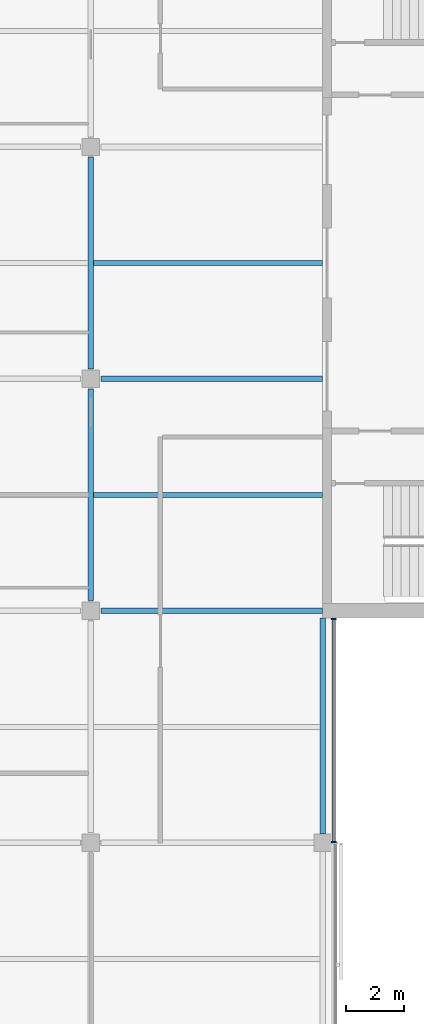
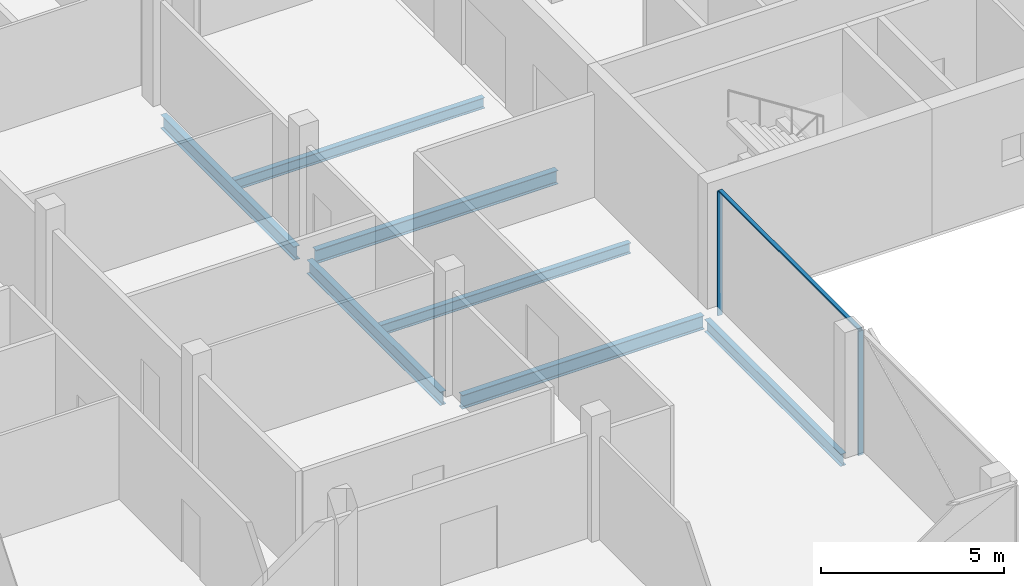
# One storey, part 4 of 16: 7 beams, 3 members, 1 element without a shape of its own.
"""IFC4 building model written with IfcOpenShell, lengths in metres."""

from ifc_helpers import new_model, si_unit, direction, frame, origin, origin_2d, place, context, subcontext, project, spatial, rectangle, i_section, extrude, material, material_profile, profile_set, type_object, element, aggregate, save


model = new_model("IFC4")

# Units and contexts
model_context = context("Model", 3, precision=1e-05, world=origin(), true_north=direction((0.0, 1.0)))
body_context = subcontext(model_context, "Body", "Model", "MODEL_VIEW")
ifc_project = project(units=[si_unit("LENGTHUNIT", "METRE"), si_unit("AREAUNIT", "SQUARE_METRE"), si_unit("VOLUMEUNIT", "CUBIC_METRE"), si_unit("PLANEANGLEUNIT", "RADIAN"), si_unit("MASSUNIT", "GRAM", prefix="KILO")], contexts=[model_context])

# Site, building, storey
site_placement = place(None, origin())
site = spatial("IfcSite", under=ifc_project, at=site_placement, CompositionType="ELEMENT")
building_placement = place(site_placement, origin())
building = spatial("IfcBuilding", under=site, at=building_placement, Name="Crosswind Convention Tower", CompositionType="ELEMENT")
storey_placement = place(building_placement, frame((0.0, 0.0, 295.5)))
storey = spatial("IfcBuildingStorey", under=building, at=storey_placement, Name="L64", CompositionType="ELEMENT", Elevation=295.5)

# Beams
ifc_material_1 = material(Name="Steel S355", Category="steel")
ifc_material_profile_1 = material_profile(ifc_material_1, i_section(OverallWidth=0.177734375, OverallDepth=0.406494140625, WebThickness=0.0078125, FlangeThickness=0.0126953125, FilletRadius=0.01025390625, at=origin_2d()), Name="UB 406x178x60")
ifc_profile_set_1 = profile_set([ifc_material_profile_1], Name="Steel S355")
beam_type_1 = type_object("IfcBeamType", Name="Edge beam UB 406x178x60", PredefinedType="SPANDREL", material=ifc_profile_set_1)
beam_placement = place(storey_placement, frame((137.0, 80.300048828125, -0.503173828125), z_axis=(0.0, 1.0, 0.0), x_axis=(-1.0, 0.0, 0.0)))
element("IfcBeam", 1, at=beam_placement, inside=storey, type_object=beam_type_1, Name="B15 L64 edge beam 12", PredefinedType="SPANDREL", context=body_context, shape_type="SweptSolid", body=[
    extrude(i_section(OverallWidth=0.177734375, OverallDepth=0.406494140625, WebThickness=0.0078125, FlangeThickness=0.0126953125, FilletRadius=0.01025390625, at=origin_2d()), origin(), (0.0, 0.0, 1.0), 7.449951171875),
])
ifc_material_profile_2 = material_profile(ifc_material_1, i_section(OverallWidth=0.18994140625, OverallDepth=0.45361328125, WebThickness=0.008544921875, FlangeThickness=0.0126953125, FilletRadius=0.01025390625, at=origin_2d()), Name="UB 457x191x67")
ifc_profile_set_2 = profile_set([ifc_material_profile_2], Name="Steel S355")
beam_type_2 = type_object("IfcBeamType", Name="Girder UB 457x191x67", PredefinedType="BEAM", material=ifc_profile_set_2)
for number, where, z_axis, x_axis, name in (
    (2, (129.0, 88.35009765625, -0.52685546875), (0.0, 1.0, 0.0), (-1.0, 0.0, 0.0), "B1 L64 girder 18"),
    (3, (129.0, 96.35009765625, -0.52685546875), (0.0, 1.0, 0.0), (-1.0, 0.0, 0.0), "B1 L64 girder 19"),
):
    element("IfcBeam", number, at=place(storey_placement, frame(where, z_axis=z_axis, x_axis=x_axis)), inside=storey, type_object=beam_type_2, Name=name, PredefinedType="BEAM", context=body_context, shape_type="SweptSolid", body=[
        extrude(i_section(OverallWidth=0.18994140625, OverallDepth=0.45361328125, WebThickness=0.008544921875, FlangeThickness=0.0126953125, FilletRadius=0.01025390625, at=origin_2d()), origin(), (0.0, 0.0, 1.0), 7.2998046875),
    ])
ifc_material_profile_3 = material_profile(ifc_material_1, i_section(OverallWidth=0.1904296875, OverallDepth=0.457275390625, WebThickness=0.009033203125, FlangeThickness=0.014404296875, FilletRadius=0.01025390625, at=origin_2d()), Name="UB 457x191x75")
ifc_profile_set_3 = profile_set([ifc_material_profile_3], Name="Steel S355")
beam_type_3 = type_object("IfcBeamType", Name="Girder at core wall UB 457x191x75", PredefinedType="BEAM", material=ifc_profile_set_3)
for number, where, z_axis, x_axis, name in (
    (4, (129.35009765625, 88.0, -0.528564453125), (1.0, 0.0, 0.0), (0.0, 1.0, 0.0), "B22 L64 girder at core wall 5"),
    (5, (129.35009765625, 96.0, -0.528564453125), (1.0, 0.0, 0.0), (0.0, 1.0, 0.0), "B22 L64 girder at core wall 6"),
):
    element("IfcBeam", number, at=place(storey_placement, frame(where, z_axis=z_axis, x_axis=x_axis)), inside=storey, type_object=beam_type_3, Name=name, PredefinedType="BEAM", context=body_context, shape_type="SweptSolid", body=[
        extrude(i_section(OverallWidth=0.1904296875, OverallDepth=0.457275390625, WebThickness=0.009033203125, FlangeThickness=0.014404296875, FilletRadius=0.01025390625, at=origin_2d()), origin(), (0.0, 0.0, 1.0), 7.64990234375),
    ])

# Curtain wall, members
ifc_material_2 = material(Name="Aluminium unitised curtain wall", Category="aluminium")
curtain_wall_type = type_object("IfcCurtainWallType", Name="CORE END SLOT WALL 160", PredefinedType="USERDEFINED", material=ifc_material_2)
curtain_wall_placement = place(storey_placement, origin())
curtain_wall = element("IfcCurtainWall", 6, at=curtain_wall_placement, inside=storey, type_object=curtain_wall_type, Name="CW6 L64 S-E.1-2 slot", ObjectType="UNITISED", PredefinedType="USERDEFINED")
ifc_material_3 = material(Name="Aluminium mullion", Category="aluminium")
ifc_material_profile_4 = material_profile(ifc_material_3, rectangle(XDim=0.159912109375, YDim=0.050048828125, at=origin_2d()), Name="AL 160X50")
ifc_profile_set_4 = profile_set([ifc_material_profile_4], Name="Aluminium mullion")
member_type_1 = type_object("IfcMemberType", Name="MULLION 50X160", PredefinedType="MULLION", material=ifc_profile_set_4)
member_1_placement = place(storey_placement, frame((137.3798828125, 80.02490234375, -0.300048828125), z_axis=(0.0, 0.0, 1.0), x_axis=(1.0, 0.0, 0.0)))
member_1 = element("IfcMember", 7, at=member_1_placement, type_object=member_type_1, Name="CW6 mullion 1", PredefinedType="MULLION", context=body_context, shape_type="SweptSolid", body=[
    extrude(rectangle(XDim=0.159912109375, YDim=0.050048828125, at=origin_2d()), origin(), (0.0, 0.0, 1.0), 4.150146484375),
])
member_2_placement = place(storey_placement, frame((137.3798828125, 87.72509765625, -0.300048828125), z_axis=(0.0, 0.0, 1.0), x_axis=(1.0, 0.0, 0.0)))
member_2 = element("IfcMember", 8, at=member_2_placement, type_object=member_type_1, Name="CW6 mullion 2", PredefinedType="MULLION", context=body_context, shape_type="SweptSolid", body=[
    extrude(rectangle(XDim=0.159912109375, YDim=0.050048828125, at=origin_2d()), origin(), (0.0, 0.0, 1.0), 4.150146484375),
])

# Beams
ifc_material_profile_5 = material_profile(ifc_material_1, i_section(OverallWidth=0.17138671875, OverallDepth=0.355712890625, WebThickness=0.00732421875, FlangeThickness=0.011474609375, FilletRadius=0.01025390625, at=origin_2d()), Name="UB 356x171x51")
ifc_profile_set_5 = profile_set([ifc_material_profile_5], Name="Steel S355")
beam_type_4 = type_object("IfcBeamType", Name="Secondary beam UB 356x171x51", PredefinedType="JOIST", material=ifc_profile_set_5)
for number, where, z_axis, x_axis, name in (
    (9, (129.094970703125, 92.0, -0.477783203125), (1.0, 0.0, 0.0), (0.0, 1.0, 0.0), "B8 L64 secondary beam 17"),
    (10, (129.094970703125, 100.0, -0.477783203125), (1.0, 0.0, 0.0), (0.0, 1.0, 0.0), "B8 L64 secondary beam 18"),
):
    element("IfcBeam", number, at=place(storey_placement, frame(where, z_axis=z_axis, x_axis=x_axis)), inside=storey, type_object=beam_type_4, Name=name, PredefinedType="JOIST", context=body_context, shape_type="SweptSolid", body=[
        extrude(i_section(OverallWidth=0.17138671875, OverallDepth=0.355712890625, WebThickness=0.00732421875, FlangeThickness=0.011474609375, FilletRadius=0.01025390625, at=origin_2d()), origin(), (0.0, 0.0, 1.0), 7.905029296875),
    ])

# Member
ifc_material_4 = material(Name="Aluminium transom", Category="aluminium")
ifc_material_profile_6 = material_profile(ifc_material_4, rectangle(XDim=0.1201171875, YDim=0.050048828125, at=origin_2d()), Name="AL 120X50")
ifc_profile_set_6 = profile_set([ifc_material_profile_6], Name="Aluminium transom")
member_type_2 = type_object("IfcMemberType", Name="TRANSOM 50X120", PredefinedType="USERDEFINED", material=ifc_profile_set_6)
member_3_placement = place(storey_placement, frame((137.3798828125, 80.050048828125, 3.875), z_axis=(0.0, 1.0, 0.0), x_axis=(-1.0, 0.0, 0.0)))
member_3 = element("IfcMember", 11, at=member_3_placement, type_object=member_type_2, Name="CW6 transom", ObjectType="TRANSOM", PredefinedType="USERDEFINED", context=body_context, shape_type="SweptSolid", body=[
    extrude(rectangle(XDim=0.1201171875, YDim=0.050048828125, at=origin_2d()), origin(), (0.0, 0.0, 1.0), 7.64990234375),
])

aggregate(curtain_wall, [member_1, member_2, member_3])

save(model, "model.ifc")
